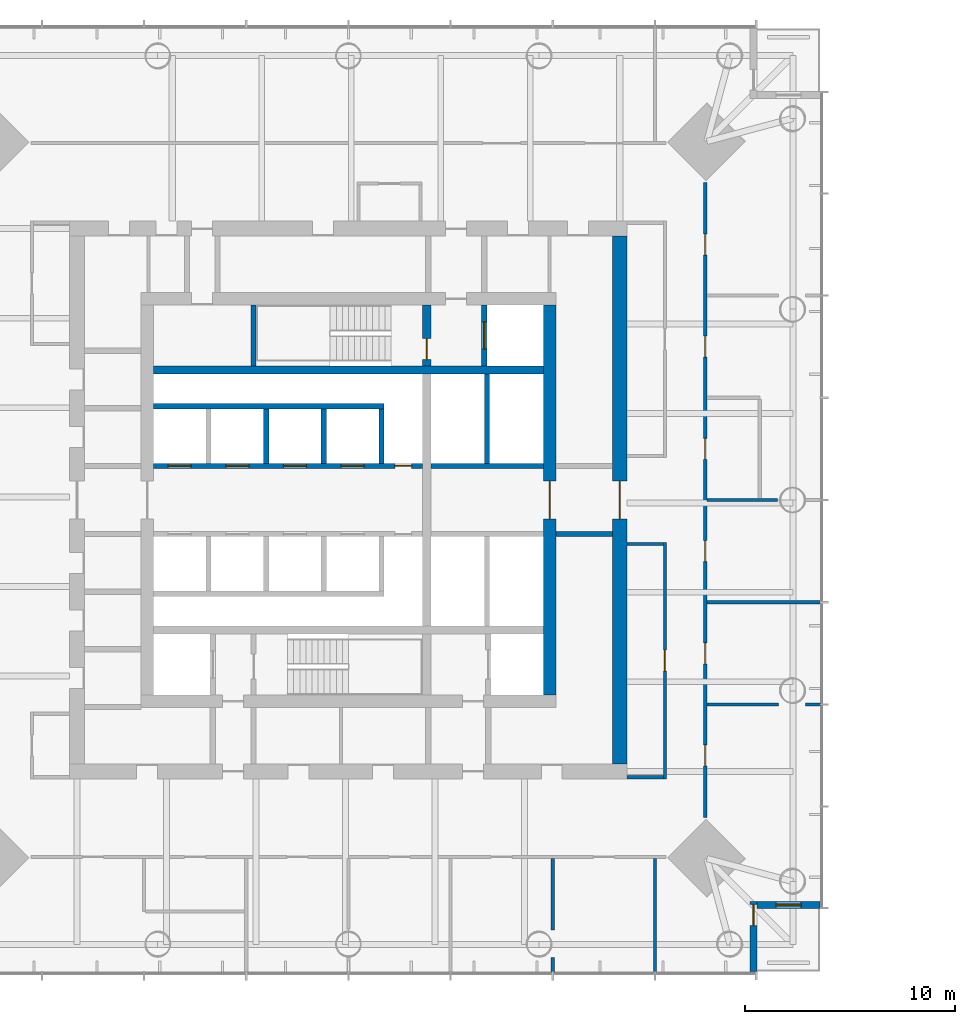
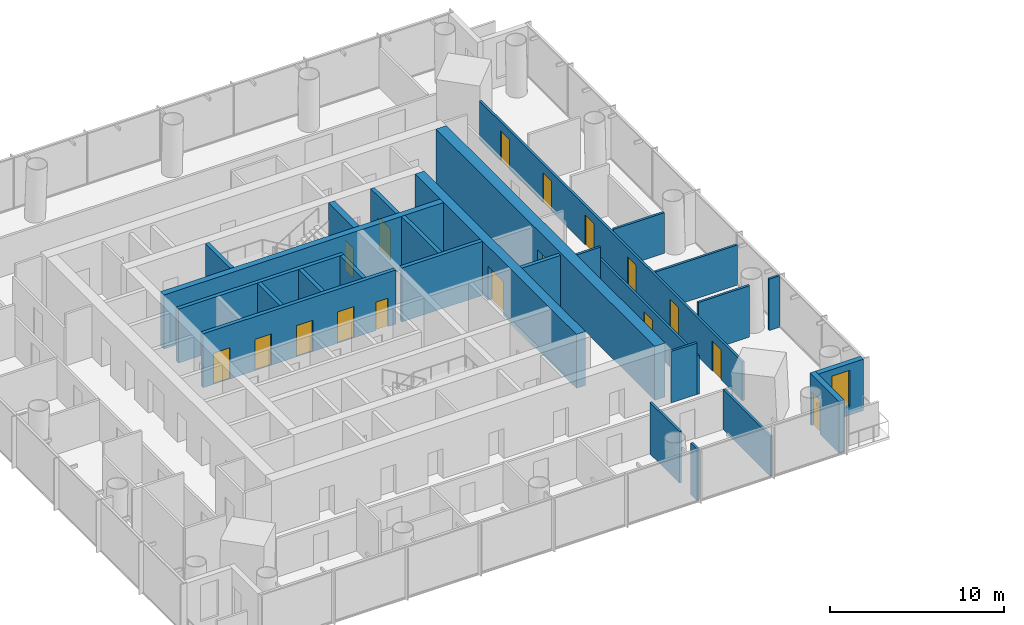
# One storey, part 11 of 20: 27 walls, 17 doors, 1 window, 18 openings.
"""IFC4 building model written with IfcOpenShell, lengths in metres."""

from ifc_helpers import new_model, si_unit, direction, frame, frame_2d, origin, place, context, subcontext, project, spatial, rectangle, extrude, material, layer, layer_set, type_object, element, fill, save


model = new_model("IFC4")

# Units and contexts
model_context = context("Model", 3, precision=1e-05, world=origin(), true_north=direction((0.0, 1.0)))
body_context = subcontext(model_context, "Body", "Model", "MODEL_VIEW")
ifc_project = project(units=[si_unit("LENGTHUNIT", "METRE"), si_unit("AREAUNIT", "SQUARE_METRE"), si_unit("VOLUMEUNIT", "CUBIC_METRE"), si_unit("PLANEANGLEUNIT", "RADIAN"), si_unit("MASSUNIT", "GRAM", prefix="KILO")], contexts=[model_context])

# Site, building, storey
site_placement = place(None, origin())
site = spatial("IfcSite", under=ifc_project, at=site_placement, CompositionType="ELEMENT")
building_placement = place(site_placement, origin())
building = spatial("IfcBuilding", under=site, at=building_placement, Name="Ostroluk Exchange", CompositionType="ELEMENT")
storey_placement = place(building_placement, frame((0.0, 0.0, 108.39990234375)))
storey = spatial("IfcBuildingStorey", under=building, at=storey_placement, Name="L27", CompositionType="ELEMENT", Elevation=108.39990234375)

# Walls
ifc_material_1 = material(Name="Concrete blockwork", Category="masonry")
ifc_layer_1 = layer(ifc_material_1, 0.25)
ifc_layer_set_1 = layer_set([ifc_layer_1], Name="Blockwork stair enclosure wall 250")
wall_type_1 = type_object("IfcWallType", Name="Blockwork stair enclosure wall 250", PredefinedType="SOLIDWALL", material=ifc_layer_set_1)
wall_1_placement = place(storey_placement, frame((54.89990234375, 44.375, 0.0), z_axis=(0.0, 0.0, 1.0), x_axis=(1.0, 0.0, 0.0)))
element("IfcWall", 1, at=wall_1_placement, inside=storey, type_object=wall_type_1, Name="Lift lobby enclosure wall", PredefinedType="SOLIDWALL", context=body_context, shape_type="SweptSolid", body=[
    extrude(rectangle(XDim=2.7001953125, YDim=0.25, at=frame_2d((1.35009765625, 0.0))), origin(), (0.0, 0.0, 1.0), 3.6201171875),
])
ifc_material_2 = material(Name="Concrete C50/60", Category="concrete")
ifc_layer_2 = layer(ifc_material_2, 0.39990234375)
ifc_layer_set_2 = layer_set([ifc_layer_2], Name="Core cross wall 400 C50/60")
wall_type_2 = type_object("IfcWallType", Name="Core cross wall 400 C50/60", PredefinedType="SHEAR", material=ifc_layer_set_2)
wall_2_placement = place(storey_placement, frame((35.699951171875, 52.199951171875, 0.0), z_axis=(0.0, 0.0, 1.0), x_axis=(1.0, 0.0, 0.0)))
element("IfcWall", 2, at=wall_2_placement, inside=storey, type_object=wall_type_2, Name="T1 core wall XN", PredefinedType="SHEAR", context=body_context, shape_type="SweptSolid", body=[
    extrude(rectangle(XDim=18.60009765625, YDim=0.39990234375, at=frame_2d((9.300048828125, 0.0))), origin(), (0.0, 0.0, 1.0), 3.800048828125),
])

# Wall, opening, door
wall_3_placement = place(storey_placement, frame((48.72998046875, 52.39990234375, 0.0), z_axis=(0.0, 0.0, 1.0), x_axis=(0.0, 1.0, 0.0)))
wall_3 = element("IfcWall", 3, at=wall_3_placement, inside=storey, type_object=wall_type_2, Name="T1 core wall YE3", PredefinedType="SHEAR", context=body_context, shape_type="SweptSolid", body=[
    extrude(rectangle(XDim=2.900146484375, YDim=0.39990234375, at=frame_2d((1.4501953125, 0.0))), origin(), (0.0, 0.0, 1.0), 3.800048828125),
])
opening_1_placement = place(wall_3_placement, frame((0.300048828125, 0.0, 0.0)))
opening_1 = element("IfcOpeningElement", 4, at=opening_1_placement, cuts=wall_3, Name="Opening FD60", PredefinedType="OPENING", context=body_context, shape_type="SweptSolid", body=[
    extrude(rectangle(XDim=1.0, YDim=2.10009765625, at=frame_2d((0.5, 1.050048828125))), frame((0.0, 0.2099609375, 0.0), z_axis=(0.0, -1.0, 0.0), x_axis=(1.0, 0.0, 0.0)), (0.0, 0.0, 1.0), 0.419921875),
])
ifc_material_3 = material(Name="Steel", Category="steel")
door_type_1 = type_object("IfcDoorType", Name="Fire door EI 60 1000 x 2100", OperationType="SINGLE_SWING_LEFT", PredefinedType="DOOR", material=ifc_material_3)
door_1_placement = place(opening_1_placement, origin())
door_1 = element("IfcDoor", 5, at=door_1_placement, inside=storey, type_object=door_type_1, Name="Stair T1-S2 door", OperationType="SINGLE_SWING_LEFT", OverallHeight=2.10009765625, OverallWidth=1.0, PredefinedType="DOOR", context=body_context, shape_type="SweptSolid", body=[
    extrude(rectangle(XDim=1.0, YDim=2.10009765625, at=frame_2d((0.5, 1.050048828125))), frame((0.0, 0.02490234375, 0.0), z_axis=(0.0, -1.0, 0.0), x_axis=(1.0, 0.0, 0.0)), (0.0, 0.0, 1.0), 0.050048828125),
])
fill(opening_1, door_1)

# Wall
ifc_material_4 = material(Name="Concrete C40/50", Category="concrete")
ifc_layer_3 = layer(ifc_material_4, 0.25)
ifc_layer_set_3 = layer_set([ifc_layer_3], Name="Core shaft wall 250")
wall_type_3 = type_object("IfcWallType", Name="Core shaft wall 250", PredefinedType="SHEAR", material=ifc_layer_set_3)
wall_4_placement = place(storey_placement, frame((40.47509765625, 52.39990234375, 0.0), z_axis=(0.0, 0.0, 1.0), x_axis=(0.0, 1.0, 0.0)))
element("IfcWall", 6, at=wall_4_placement, inside=storey, type_object=wall_type_3, Name="Stair shaft wall", PredefinedType="SHEAR", context=body_context, shape_type="SweptSolid", body=[
    extrude(rectangle(XDim=2.900146484375, YDim=0.25, at=frame_2d((1.4501953125, 0.0))), origin(), (0.0, 0.0, 1.0), 3.800048828125),
])

# Wall, opening, door
wall_5_placement = place(storey_placement, frame((51.47509765625, 52.39990234375, 0.0), z_axis=(0.0, 0.0, 1.0), x_axis=(0.0, 1.0, 0.0)))
wall_5 = element("IfcWall", 7, at=wall_5_placement, inside=storey, type_object=wall_type_3, Name="Firefighting lift shaft wall", PredefinedType="SHEAR", context=body_context, shape_type="SweptSolid", body=[
    extrude(rectangle(XDim=2.900146484375, YDim=0.25, at=frame_2d((1.4501953125, 0.0))), origin(), (0.0, 0.0, 1.0), 3.800048828125),
])
opening_2_placement = place(wall_5_placement, frame((0.800048828125, 0.0, 0.0)))
opening_2 = element("IfcOpeningElement", 8, at=opening_2_placement, cuts=wall_5, Name="Opening LD2", PredefinedType="OPENING", context=body_context, shape_type="SweptSolid", body=[
    extrude(rectangle(XDim=1.300048828125, YDim=2.199951171875, at=frame_2d((0.64990234375, 1.10009765625))), frame((0.0, 0.135009765625, 0.0), z_axis=(0.0, -1.0, 0.0), x_axis=(1.0, 0.0, 0.0)), (0.0, 0.0, 1.0), 0.27001953125),
])
ifc_material_5 = material(Name="Stainless steel", Category="steel")
door_type_2 = type_object("IfcDoorType", Name="Lift landing door E 60 1300 x 2200", OperationType="DOUBLE_DOOR_SLIDING", PredefinedType="DOOR", material=ifc_material_5)
door_2_placement = place(opening_2_placement, origin())
door_2 = element("IfcDoor", 9, at=door_2_placement, inside=storey, type_object=door_type_2, Name="Lift FL2 landing door", OperationType="DOUBLE_DOOR_SLIDING", OverallHeight=2.199951171875, OverallWidth=1.300048828125, PredefinedType="DOOR", context=body_context, shape_type="SweptSolid", body=[
    extrude(rectangle(XDim=1.300048828125, YDim=2.199951171875, at=frame_2d((0.64990234375, 1.10009765625))), frame((0.0, 0.02490234375, 0.0), z_axis=(0.0, -1.0, 0.0), x_axis=(1.0, 0.0, 0.0)), (0.0, 0.0, 1.0), 0.050048828125),
])
fill(opening_2, door_2)

# Walls
for number, where, z_axis, x_axis, name in (
    (10, (41.074951171875, 47.75, 0.0), (0.0, 0.0, 1.0), (0.0, 1.0, 0.0), "Lift shaft wall"),
    (11, (43.824951171875, 47.75, 0.0), (0.0, 0.0, 1.0), (0.0, 1.0, 0.0), "Lift shaft wall"),
    (12, (46.574951171875, 47.75, 0.0), (0.0, 0.0, 1.0), (0.0, 1.0, 0.0), "Lift shaft wall"),
):
    element("IfcWall", number, at=place(storey_placement, frame(where, z_axis=z_axis, x_axis=x_axis)), inside=storey, type_object=wall_type_3, Name=name, PredefinedType="SHEAR", context=body_context, shape_type="SweptSolid", body=[
        extrude(rectangle(XDim=2.60009765625, YDim=0.25, at=frame_2d((1.300048828125, 0.0))), origin(), (0.0, 0.0, 1.0), 3.800048828125),
    ])
wall_6_placement = place(storey_placement, frame((35.699951171875, 50.47509765625, 0.0), z_axis=(0.0, 0.0, 1.0), x_axis=(1.0, 0.0, 0.0)))
element("IfcWall", 13, at=wall_6_placement, inside=storey, type_object=wall_type_3, Name="Lift shaft wall", PredefinedType="SHEAR", context=body_context, shape_type="SweptSolid", body=[
    extrude(rectangle(XDim=11.0, YDim=0.25, at=frame_2d((5.5, 0.0))), origin(), (0.0, 0.0, 1.0), 3.800048828125),
])

# Wall, openings, doors
wall_7_placement = place(storey_placement, frame((35.699951171875, 47.625, 0.0), z_axis=(0.0, 0.0, 1.0), x_axis=(1.0, 0.0, 0.0)))
wall_7 = element("IfcWall", 14, at=wall_7_placement, inside=storey, type_object=wall_type_3, Name="Lift shaft front wall", PredefinedType="SHEAR", context=body_context, shape_type="SweptSolid", body=[
    extrude(rectangle(XDim=12.830078125, YDim=0.25, at=frame_2d((6.4150390625, 0.0))), origin(), (0.0, 0.0, 1.0), 3.800048828125),
])
opening_3_placement = place(wall_7_placement, frame((0.699951171875, 0.0, 0.0)))
opening_3 = element("IfcOpeningElement", 15, at=opening_3_placement, cuts=wall_7, Name="Opening LD", PredefinedType="OPENING", context=body_context, shape_type="SweptSolid", body=[
    extrude(rectangle(XDim=1.10009765625, YDim=2.199951171875, at=frame_2d((0.550048828125, 1.10009765625))), frame((0.0, 0.135009765625, 0.0), z_axis=(0.0, -1.0, 0.0), x_axis=(1.0, 0.0, 0.0)), (0.0, 0.0, 1.0), 0.27001953125),
])
opening_4_placement = place(wall_7_placement, frame((3.449951171875, 0.0, 0.0)))
opening_4 = element("IfcOpeningElement", 16, at=opening_4_placement, cuts=wall_7, Name="Opening LD", PredefinedType="OPENING", context=body_context, shape_type="SweptSolid", body=[
    extrude(rectangle(XDim=1.10009765625, YDim=2.199951171875, at=frame_2d((0.550048828125, 1.10009765625))), frame((0.0, 0.135009765625, 0.0), z_axis=(0.0, -1.0, 0.0), x_axis=(1.0, 0.0, 0.0)), (0.0, 0.0, 1.0), 0.27001953125),
])
opening_5_placement = place(wall_7_placement, frame((6.199951171875, 0.0, 0.0)))
opening_5 = element("IfcOpeningElement", 17, at=opening_5_placement, cuts=wall_7, Name="Opening LD", PredefinedType="OPENING", context=body_context, shape_type="SweptSolid", body=[
    extrude(rectangle(XDim=1.10009765625, YDim=2.199951171875, at=frame_2d((0.550048828125, 1.10009765625))), frame((0.0, 0.135009765625, 0.0), z_axis=(0.0, -1.0, 0.0), x_axis=(1.0, 0.0, 0.0)), (0.0, 0.0, 1.0), 0.27001953125),
])
opening_6_placement = place(wall_7_placement, frame((8.949951171875, 0.0, 0.0)))
opening_6 = element("IfcOpeningElement", 18, at=opening_6_placement, cuts=wall_7, Name="Opening LD", PredefinedType="OPENING", context=body_context, shape_type="SweptSolid", body=[
    extrude(rectangle(XDim=1.10009765625, YDim=2.199951171875, at=frame_2d((0.550048828125, 1.10009765625))), frame((0.0, 0.135009765625, 0.0), z_axis=(0.0, -1.0, 0.0), x_axis=(1.0, 0.0, 0.0)), (0.0, 0.0, 1.0), 0.27001953125),
])
opening_7_placement = place(wall_7_placement, frame((11.514892578125, 0.0, 0.0)))
opening_7 = element("IfcOpeningElement", 19, at=opening_7_placement, cuts=wall_7, Name="Opening RD60", PredefinedType="OPENING", context=body_context, shape_type="SweptSolid", body=[
    extrude(rectangle(XDim=0.800048828125, YDim=2.0, at=frame_2d((0.39990234375, 1.0))), frame((0.0, 0.135009765625, 0.0), z_axis=(0.0, -1.0, 0.0), x_axis=(1.0, 0.0, 0.0)), (0.0, 0.0, 1.0), 0.27001953125),
])
ifc_material_6 = material(Name="Stainless steel", Category="steel")
door_type_3 = type_object("IfcDoorType", Name="Lift landing door E 60 1100 x 2200", OperationType="DOUBLE_DOOR_SLIDING", PredefinedType="DOOR", material=ifc_material_6)
door_3_placement = place(opening_3_placement, origin())
door_3 = element("IfcDoor", 20, at=door_3_placement, inside=storey, type_object=door_type_3, Name="Lift PL-M1 landing door", OperationType="DOUBLE_DOOR_SLIDING", OverallHeight=2.199951171875, OverallWidth=1.10009765625, PredefinedType="DOOR", context=body_context, shape_type="SweptSolid", body=[
    extrude(rectangle(XDim=1.10009765625, YDim=2.199951171875, at=frame_2d((0.550048828125, 1.10009765625))), frame((0.0, 0.02490234375, 0.0), z_axis=(0.0, -1.0, 0.0), x_axis=(1.0, 0.0, 0.0)), (0.0, 0.0, 1.0), 0.050048828125),
])
fill(opening_3, door_3)
door_4_placement = place(opening_4_placement, origin())
door_4 = element("IfcDoor", 21, at=door_4_placement, inside=storey, type_object=door_type_3, Name="Lift PL-M2 landing door", OperationType="DOUBLE_DOOR_SLIDING", OverallHeight=2.199951171875, OverallWidth=1.10009765625, PredefinedType="DOOR", context=body_context, shape_type="SweptSolid", body=[
    extrude(rectangle(XDim=1.10009765625, YDim=2.199951171875, at=frame_2d((0.550048828125, 1.10009765625))), frame((0.0, 0.02490234375, 0.0), z_axis=(0.0, -1.0, 0.0), x_axis=(1.0, 0.0, 0.0)), (0.0, 0.0, 1.0), 0.050048828125),
])
fill(opening_4, door_4)
door_5_placement = place(opening_5_placement, origin())
door_5 = element("IfcDoor", 22, at=door_5_placement, inside=storey, type_object=door_type_3, Name="Lift PL-M3 landing door", OperationType="DOUBLE_DOOR_SLIDING", OverallHeight=2.199951171875, OverallWidth=1.10009765625, PredefinedType="DOOR", context=body_context, shape_type="SweptSolid", body=[
    extrude(rectangle(XDim=1.10009765625, YDim=2.199951171875, at=frame_2d((0.550048828125, 1.10009765625))), frame((0.0, 0.02490234375, 0.0), z_axis=(0.0, -1.0, 0.0), x_axis=(1.0, 0.0, 0.0)), (0.0, 0.0, 1.0), 0.050048828125),
])
fill(opening_5, door_5)
door_6_placement = place(opening_6_placement, origin())
door_6 = element("IfcDoor", 23, at=door_6_placement, inside=storey, type_object=door_type_3, Name="Lift PL-M4 landing door", OperationType="DOUBLE_DOOR_SLIDING", OverallHeight=2.199951171875, OverallWidth=1.10009765625, PredefinedType="DOOR", context=body_context, shape_type="SweptSolid", body=[
    extrude(rectangle(XDim=1.10009765625, YDim=2.199951171875, at=frame_2d((0.550048828125, 1.10009765625))), frame((0.0, 0.02490234375, 0.0), z_axis=(0.0, -1.0, 0.0), x_axis=(1.0, 0.0, 0.0)), (0.0, 0.0, 1.0), 0.050048828125),
])
fill(opening_6, door_6)
ifc_material_7 = material(Name="Steel", Category="steel")
door_type_4 = type_object("IfcDoorType", Name="Riser access door EI 60 800 x 2000", OperationType="SINGLE_SWING_LEFT", PredefinedType="DOOR", material=ifc_material_7)
door_7_placement = place(opening_7_placement, origin())
door_7 = element("IfcDoor", 24, at=door_7_placement, inside=storey, type_object=door_type_4, Name="Riser access door", OperationType="SINGLE_SWING_RIGHT", OverallHeight=2.0, OverallWidth=0.800048828125, PredefinedType="DOOR", context=body_context, shape_type="SweptSolid", body=[
    extrude(rectangle(XDim=0.800048828125, YDim=2.0, at=frame_2d((0.39990234375, 1.0))), frame((0.0, 0.02490234375, 0.0), z_axis=(0.0, -1.0, 0.0), x_axis=(1.0, 0.0, 0.0)), (0.0, 0.0, 1.0), 0.050048828125),
])
fill(opening_7, door_7)

# Walls
wall_8_placement = place(storey_placement, frame((51.614990234375, 47.75, 0.0), z_axis=(0.0, 0.0, 1.0), x_axis=(0.0, 1.0, 0.0)))
element("IfcWall", 25, at=wall_8_placement, inside=storey, type_object=wall_type_3, Name="Lift shaft wall", PredefinedType="SHEAR", context=body_context, shape_type="SweptSolid", body=[
    extrude(rectangle(XDim=4.25, YDim=0.25, at=frame_2d((2.125, 0.0))), origin(), (0.0, 0.0, 1.0), 3.800048828125),
])
wall_9_placement = place(storey_placement, frame((48.929931640625, 47.625, 0.0), z_axis=(0.0, 0.0, 1.0), x_axis=(1.0, 0.0, 0.0)))
element("IfcWall", 26, at=wall_9_placement, inside=storey, type_object=wall_type_3, Name="Lift shaft front wall", PredefinedType="SHEAR", context=body_context, shape_type="SweptSolid", body=[
    extrude(rectangle(XDim=5.3701171875, YDim=0.25, at=frame_2d((2.68505859375, 0.0))), origin(), (0.0, 0.0, 1.0), 3.800048828125),
])

# Wall, opening, door
ifc_material_8 = material(Name="Concrete C50/60", Category="concrete")
ifc_layer_4 = layer(ifc_material_8, 0.60009765625)
ifc_layer_set_4 = layer_set([ifc_layer_4], Name="Core wall 600 C50/60")
wall_type_4 = type_object("IfcWallType", Name="Core wall 600 C50/60", PredefinedType="SHEAR", material=ifc_layer_set_4)
wall_10_placement = place(storey_placement, frame((54.60009765625, 36.699951171875, 0.0), z_axis=(0.0, 0.0, 1.0), x_axis=(0.0, 1.0, 0.0)))
wall_10 = element("IfcWall", 27, at=wall_10_placement, inside=storey, type_object=wall_type_4, Name="T1 core wall E", PredefinedType="SHEAR", context=body_context, shape_type="SweptSolid", body=[
    extrude(rectangle(XDim=18.60009765625, YDim=0.60009765625, at=frame_2d((9.300048828125, 0.0))), origin(), (0.0, 0.0, 1.0), 3.800048828125),
])
opening_8_placement = place(wall_10_placement, frame((8.39990234375, 0.0, 0.0)))
opening_8 = element("IfcOpeningElement", 28, at=opening_8_placement, cuts=wall_10, Name="Opening FD30D", PredefinedType="OPENING", context=body_context, shape_type="SweptSolid", body=[
    extrude(rectangle(XDim=1.800048828125, YDim=2.39990234375, at=frame_2d((0.89990234375, 1.199951171875))), frame((0.0, 0.31005859375, 0.0), z_axis=(0.0, -1.0, 0.0), x_axis=(1.0, 0.0, 0.0)), (0.0, 0.0, 1.0), 0.6201171875),
])
ifc_material_9 = material(Name="Timber", Category="wood")
door_type_5 = type_object("IfcDoorType", Name="Lobby double door EI 30 1800 x 2400", OperationType="DOUBLE_DOOR_SINGLE_SWING", PredefinedType="DOOR", material=ifc_material_9)
door_8_placement = place(opening_8_placement, origin())
door_8 = element("IfcDoor", 29, at=door_8_placement, inside=storey, type_object=door_type_5, Name="Lift lobby doors", OperationType="DOUBLE_DOOR_SINGLE_SWING", OverallHeight=2.39990234375, OverallWidth=1.800048828125, PredefinedType="DOOR", context=body_context, shape_type="SweptSolid", body=[
    extrude(rectangle(XDim=1.800048828125, YDim=2.39990234375, at=frame_2d((0.89990234375, 1.199951171875))), frame((0.0, 0.02490234375, 0.0), z_axis=(0.0, -1.0, 0.0), x_axis=(1.0, 0.0, 0.0)), (0.0, 0.0, 1.0), 0.050048828125),
])
fill(opening_8, door_8)

ifc_material_10 = material(Name="Concrete C50/60", Category="concrete")
ifc_layer_5 = layer(ifc_material_10, 0.699951171875)
ifc_layer_set_5 = layer_set([ifc_layer_5], Name="Core wall 700 C50/60")
wall_type_5 = type_object("IfcWallType", Name="Core wall 700 C50/60", PredefinedType="SHEAR", material=ifc_layer_set_5)
wall_11_placement = place(storey_placement, frame((57.949951171875, 33.39990234375, 0.0), z_axis=(0.0, 0.0, 1.0), x_axis=(0.0, 1.0, 0.0)))
wall_11 = element("IfcWall", 30, at=wall_11_placement, inside=storey, type_object=wall_type_5, Name="T1 core wall RE", PredefinedType="SHEAR", context=body_context, shape_type="SweptSolid", body=[
    extrude(rectangle(XDim=25.2001953125, YDim=0.699951171875, at=frame_2d((12.60009765625, 0.0))), origin(), (0.0, 0.0, 1.0), 3.800048828125),
])
opening_9_placement = place(wall_11_placement, frame((11.699951171875, 0.0, 0.0)))
opening_9 = element("IfcOpeningElement", 31, at=opening_9_placement, cuts=wall_11, Name="Opening FD30D", PredefinedType="OPENING", context=body_context, shape_type="SweptSolid", body=[
    extrude(rectangle(XDim=1.800048828125, YDim=2.39990234375, at=frame_2d((0.89990234375, 1.199951171875))), frame((0.0, 0.35986328125, 0.0), z_axis=(0.0, -1.0, 0.0), x_axis=(1.0, 0.0, 0.0)), (0.0, 0.0, 1.0), 0.719970703125),
])
door_9_placement = place(opening_9_placement, origin())
door_9 = element("IfcDoor", 32, at=door_9_placement, inside=storey, type_object=door_type_5, Name="Lift lobby doors", OperationType="DOUBLE_DOOR_SINGLE_SWING", OverallHeight=2.39990234375, OverallWidth=1.800048828125, PredefinedType="DOOR", context=body_context, shape_type="SweptSolid", body=[
    extrude(rectangle(XDim=1.800048828125, YDim=2.39990234375, at=frame_2d((0.89990234375, 1.199951171875))), frame((0.0, 0.02490234375, 0.0), z_axis=(0.0, -1.0, 0.0), x_axis=(1.0, 0.0, 0.0)), (0.0, 0.0, 1.0), 0.050048828125),
])
fill(opening_9, door_9)

ifc_material_11 = material(Name="Limestone", Category="masonry")
ifc_layer_6 = layer(ifc_material_11, 0.35009765625)
ifc_layer_set_6 = layer_set([ifc_layer_6], Name="Limestone facade wall 350")
wall_type_6 = type_object("IfcWallType", Name="Limestone facade wall 350", PredefinedType="SOLIDWALL", material=ifc_layer_set_6)
wall_12_placement = place(storey_placement, frame((64.324951171875, 23.5, 0.0), z_axis=(0.0, 0.0, 1.0), x_axis=(0.0, 1.0, 0.0)))
wall_12 = element("IfcWall", 33, at=wall_12_placement, inside=storey, type_object=wall_type_6, Name="Office tower SE corner wall L27 a", PredefinedType="SOLIDWALL", context=body_context, shape_type="SweptSolid", body=[
    extrude(rectangle(XDim=3.35009765625, YDim=0.35009765625, at=frame_2d((1.675048828125, 0.0))), origin(), (0.0, 0.0, 1.0), 3.6201171875),
])
opening_10_placement = place(wall_12_placement, frame((2.199951171875, 0.0, 0.0)))
opening_10 = element("IfcOpeningElement", 34, at=opening_10_placement, cuts=wall_12, Name="Opening D-B1", PredefinedType="OPENING", context=body_context, shape_type="SweptSolid", body=[
    extrude(rectangle(XDim=1.0, YDim=2.39990234375, at=frame_2d((0.5, 1.199951171875))), frame((0.0, 0.18505859375, 0.0), z_axis=(0.0, -1.0, 0.0), x_axis=(1.0, 0.0, 0.0)), (0.0, 0.0, 1.0), 0.3701171875),
])
ifc_material_12 = material(Name="Bronze framed glazed door", Category="aluminium")
door_type_6 = type_object("IfcDoorType", Name="Balcony door 1000 x 2400", OperationType="SINGLE_SWING_LEFT", PredefinedType="DOOR", material=ifc_material_12)
door_10_placement = place(opening_10_placement, origin())
door_10 = element("IfcDoor", 35, at=door_10_placement, inside=storey, type_object=door_type_6, Name="Office tower SE balcony door L27", OperationType="SINGLE_SWING_RIGHT", OverallHeight=2.39990234375, OverallWidth=1.0, PredefinedType="DOOR", context=body_context, shape_type="SweptSolid", body=[
    extrude(rectangle(XDim=1.0, YDim=2.39990234375, at=frame_2d((0.5, 1.199951171875))), frame((0.0, 0.02490234375, 0.0), z_axis=(0.0, -1.0, 0.0), x_axis=(1.0, 0.0, 0.0)), (0.0, 0.0, 1.0), 0.050048828125),
])
fill(opening_10, door_10)

# Wall, opening, window
wall_13_placement = place(storey_placement, frame((64.5, 26.675048828125, 0.0), z_axis=(0.0, 0.0, 1.0), x_axis=(1.0, 0.0, 0.0)))
wall_13 = element("IfcWall", 36, at=wall_13_placement, inside=storey, type_object=wall_type_6, Name="Office tower SE corner wall L27 b", PredefinedType="SOLIDWALL", context=body_context, shape_type="SweptSolid", body=[
    extrude(rectangle(XDim=3.0, YDim=0.35009765625, at=frame_2d((1.5, 0.0))), origin(), (0.0, 0.0, 1.0), 3.6201171875),
])
opening_11_placement = place(wall_13_placement, frame((0.89990234375, 0.0, 0.60009765625)))
opening_11 = element("IfcOpeningElement", 37, at=opening_11_placement, cuts=wall_13, Name="Opening WN-L1", PredefinedType="OPENING", context=body_context, shape_type="SweptSolid", body=[
    extrude(rectangle(XDim=1.199951171875, YDim=2.550048828125, at=frame_2d((0.60009765625, 1.27490234375))), frame((0.0, 0.18505859375, 0.0), z_axis=(0.0, -1.0, 0.0), x_axis=(1.0, 0.0, 0.0)), (0.0, 0.0, 1.0), 0.3701171875),
])
ifc_material_13 = material(Name="Laminated clear glass", Category="glass")
window_type = type_object("IfcWindowType", Name="Lancet window 1200 x 2550", PartitioningType="SINGLE_PANEL", PredefinedType="WINDOW", material=ifc_material_13)
window_placement = place(opening_11_placement, origin())
window = element("IfcWindow", 38, at=window_placement, inside=storey, type_object=window_type, Name="Office tower SE lancet window L27", OverallHeight=2.550048828125, OverallWidth=1.199951171875, PartitioningType="SINGLE_PANEL", PredefinedType="WINDOW", context=body_context, shape_type="SweptSolid", body=[
    extrude(rectangle(XDim=1.199951171875, YDim=2.550048828125, at=frame_2d((0.60009765625, 1.27490234375))), frame((0.0, 0.030029296875, 0.0), z_axis=(0.0, -1.0, 0.0), x_axis=(1.0, 0.0, 0.0)), (0.0, 0.0, 1.0), 0.06005859375),
])
fill(opening_11, window)

# Wall, opening, door
ifc_material_14 = material(Name="Gypsum plasterboard partition", Category="gypsum")
ifc_layer_7 = layer(ifc_material_14, 0.14990234375)
ifc_layer_set_7 = layer_set([ifc_layer_7], Name="Plasterboard partition 150")
wall_type_7 = type_object("IfcWallType", Name="Plasterboard partition 150", PredefinedType="PARTITIONING", material=ifc_layer_set_7)
wall_14_placement = place(storey_placement, frame((60.10009765625, 32.699951171875, 0.0), z_axis=(0.0, 0.0, 1.0), x_axis=(0.0, 1.0, 0.0)))
wall_14 = element("IfcWall", 39, at=wall_14_placement, inside=storey, type_object=wall_type_7, Name="Partition", PredefinedType="PARTITIONING", context=body_context, shape_type="SweptSolid", body=[
    extrude(rectangle(XDim=11.275146484375, YDim=0.14990234375, at=frame_2d((5.6376953125, 0.0))), origin(), (0.0, 0.0, 1.0), 2.72021484375),
])
opening_12_placement = place(wall_14_placement, frame((5.137451171875, 0.0, 0.0)))
opening_12 = element("IfcOpeningElement", 40, at=opening_12_placement, cuts=wall_14, Name="Opening D-03", PredefinedType="OPENING", context=body_context, shape_type="SweptSolid", body=[
    extrude(rectangle(XDim=1.0, YDim=2.10009765625, at=frame_2d((0.5, 1.050048828125))), frame((0.0, 0.0849609375, 0.0), z_axis=(0.0, -1.0, 0.0), x_axis=(1.0, 0.0, 0.0)), (0.0, 0.0, 1.0), 0.169921875),
])
ifc_material_15 = material(Name="Timber", Category="wood")
door_type_7 = type_object("IfcDoorType", Name="Internal door 1000 x 2100", OperationType="SINGLE_SWING_LEFT", PredefinedType="DOOR", material=ifc_material_15)
door_11_placement = place(opening_12_placement, origin())
door_11 = element("IfcDoor", 41, at=door_11_placement, inside=storey, type_object=door_type_7, Name="Staff room door", OperationType="SINGLE_SWING_RIGHT", OverallHeight=2.10009765625, OverallWidth=1.0, PredefinedType="DOOR", context=body_context, shape_type="SweptSolid", body=[
    extrude(rectangle(XDim=1.0, YDim=2.10009765625, at=frame_2d((0.5, 1.050048828125))), frame((0.0, 0.02490234375, 0.0), z_axis=(0.0, -1.0, 0.0), x_axis=(1.0, 0.0, 0.0)), (0.0, 0.0, 1.0), 0.050048828125),
])
fill(opening_12, door_11)

# Walls
for number, where, z_axis, x_axis, name in (
    (42, (58.300048828125, 32.77490234375, 0.0), (0.0, 0.0, 1.0), (1.0, 0.0, 0.0), "Partition"),
    (43, (58.300048828125, 43.89990234375, 0.0), (0.0, 0.0, 1.0), (1.0, 0.0, 0.0), "Partition"),
):
    element("IfcWall", number, at=place(storey_placement, frame(where, z_axis=z_axis, x_axis=x_axis)), inside=storey, type_object=wall_type_7, Name=name, PredefinedType="PARTITIONING", context=body_context, shape_type="SweptSolid", body=[
        extrude(rectangle(XDim=1.724853515625, YDim=0.14990234375, at=frame_2d((0.8623046875, 0.0))), origin(), (0.0, 0.0, 1.0), 3.6201171875),
    ])

# Wall, openings, doors
wall_15_placement = place(storey_placement, frame((62.02490234375, 30.852783203125, 0.0), z_axis=(0.0, 0.0, 1.0), x_axis=(0.0, 1.0, 0.0)))
wall_15 = element("IfcWall", 44, at=wall_15_placement, inside=storey, type_object=wall_type_7, Name="Partition", PredefinedType="PARTITIONING", context=body_context, shape_type="SweptSolid", body=[
    extrude(rectangle(XDim=30.29443359375, YDim=0.14990234375, at=frame_2d((15.147216796875, 0.0))), origin(), (0.0, 0.0, 1.0), 2.72021484375),
])
opening_13_placement = place(wall_15_placement, frame((2.459716796875, 0.0, 0.0)))
opening_13 = element("IfcOpeningElement", 45, at=opening_13_placement, cuts=wall_15, Name="Opening D-03", PredefinedType="OPENING", context=body_context, shape_type="SweptSolid", body=[
    extrude(rectangle(XDim=1.0, YDim=2.10009765625, at=frame_2d((0.5, 1.050048828125))), frame((0.0, 0.0849609375, 0.0), z_axis=(0.0, -1.0, 0.0), x_axis=(1.0, 0.0, 0.0)), (0.0, 0.0, 1.0), 0.169921875),
])
opening_14_placement = place(wall_15_placement, frame((7.334716796875, 0.0, 0.0)))
opening_14 = element("IfcOpeningElement", 46, at=opening_14_placement, cuts=wall_15, Name="Opening D-03", PredefinedType="OPENING", context=body_context, shape_type="SweptSolid", body=[
    extrude(rectangle(XDim=1.0, YDim=2.10009765625, at=frame_2d((0.5, 1.050048828125))), frame((0.0, 0.0849609375, 0.0), z_axis=(0.0, -1.0, 0.0), x_axis=(1.0, 0.0, 0.0)), (0.0, 0.0, 1.0), 0.169921875),
])
opening_15_placement = place(wall_15_placement, frame((12.209716796875, 0.0, 0.0)))
opening_15 = element("IfcOpeningElement", 47, at=opening_15_placement, cuts=wall_15, Name="Opening D-03", PredefinedType="OPENING", context=body_context, shape_type="SweptSolid", body=[
    extrude(rectangle(XDim=1.0, YDim=2.10009765625, at=frame_2d((0.5, 1.050048828125))), frame((0.0, 0.0849609375, 0.0), z_axis=(0.0, -1.0, 0.0), x_axis=(1.0, 0.0, 0.0)), (0.0, 0.0, 1.0), 0.169921875),
])
opening_16_placement = place(wall_15_placement, frame((17.084716796875, 0.0, 0.0)))
opening_16 = element("IfcOpeningElement", 48, at=opening_16_placement, cuts=wall_15, Name="Opening D-03", PredefinedType="OPENING", context=body_context, shape_type="SweptSolid", body=[
    extrude(rectangle(XDim=1.0, YDim=2.10009765625, at=frame_2d((0.5, 1.050048828125))), frame((0.0, 0.0849609375, 0.0), z_axis=(0.0, -1.0, 0.0), x_axis=(1.0, 0.0, 0.0)), (0.0, 0.0, 1.0), 0.169921875),
])
opening_17_placement = place(wall_15_placement, frame((21.959716796875, 0.0, 0.0)))
opening_17 = element("IfcOpeningElement", 49, at=opening_17_placement, cuts=wall_15, Name="Opening D-03", PredefinedType="OPENING", context=body_context, shape_type="SweptSolid", body=[
    extrude(rectangle(XDim=1.0, YDim=2.10009765625, at=frame_2d((0.5, 1.050048828125))), frame((0.0, 0.0849609375, 0.0), z_axis=(0.0, -1.0, 0.0), x_axis=(1.0, 0.0, 0.0)), (0.0, 0.0, 1.0), 0.169921875),
])
opening_18_placement = place(wall_15_placement, frame((26.834716796875, 0.0, 0.0)))
opening_18 = element("IfcOpeningElement", 50, at=opening_18_placement, cuts=wall_15, Name="Opening D-03", PredefinedType="OPENING", context=body_context, shape_type="SweptSolid", body=[
    extrude(rectangle(XDim=1.0, YDim=2.10009765625, at=frame_2d((0.5, 1.050048828125))), frame((0.0, 0.0849609375, 0.0), z_axis=(0.0, -1.0, 0.0), x_axis=(1.0, 0.0, 0.0)), (0.0, 0.0, 1.0), 0.169921875),
])
door_12_placement = place(opening_13_placement, origin())
door_12 = element("IfcDoor", 51, at=door_12_placement, inside=storey, type_object=door_type_7, Name="Office suite door", OperationType="SINGLE_SWING_LEFT", OverallHeight=2.10009765625, OverallWidth=1.0, PredefinedType="DOOR", context=body_context, shape_type="SweptSolid", body=[
    extrude(rectangle(XDim=1.0, YDim=2.10009765625, at=frame_2d((0.5, 1.050048828125))), frame((0.0, 0.02490234375, 0.0), z_axis=(0.0, -1.0, 0.0), x_axis=(1.0, 0.0, 0.0)), (0.0, 0.0, 1.0), 0.050048828125),
])
fill(opening_13, door_12)
door_13_placement = place(opening_14_placement, origin())
door_13 = element("IfcDoor", 52, at=door_13_placement, inside=storey, type_object=door_type_7, Name="Meeting room door", OperationType="SINGLE_SWING_LEFT", OverallHeight=2.10009765625, OverallWidth=1.0, PredefinedType="DOOR", context=body_context, shape_type="SweptSolid", body=[
    extrude(rectangle(XDim=1.0, YDim=2.10009765625, at=frame_2d((0.5, 1.050048828125))), frame((0.0, 0.02490234375, 0.0), z_axis=(0.0, -1.0, 0.0), x_axis=(1.0, 0.0, 0.0)), (0.0, 0.0, 1.0), 0.050048828125),
])
fill(opening_14, door_13)
door_14_placement = place(opening_15_placement, origin())
door_14 = element("IfcDoor", 53, at=door_14_placement, inside=storey, type_object=door_type_7, Name="Focus room door", OperationType="SINGLE_SWING_LEFT", OverallHeight=2.10009765625, OverallWidth=1.0, PredefinedType="DOOR", context=body_context, shape_type="SweptSolid", body=[
    extrude(rectangle(XDim=1.0, YDim=2.10009765625, at=frame_2d((0.5, 1.050048828125))), frame((0.0, 0.02490234375, 0.0), z_axis=(0.0, -1.0, 0.0), x_axis=(1.0, 0.0, 0.0)), (0.0, 0.0, 1.0), 0.050048828125),
])
fill(opening_15, door_14)
door_15_placement = place(opening_16_placement, origin())
door_15 = element("IfcDoor", 54, at=door_15_placement, inside=storey, type_object=door_type_7, Name="Pantry door", OperationType="SINGLE_SWING_RIGHT", OverallHeight=2.10009765625, OverallWidth=1.0, PredefinedType="DOOR", context=body_context, shape_type="SweptSolid", body=[
    extrude(rectangle(XDim=1.0, YDim=2.10009765625, at=frame_2d((0.5, 1.050048828125))), frame((0.0, 0.02490234375, 0.0), z_axis=(0.0, -1.0, 0.0), x_axis=(1.0, 0.0, 0.0)), (0.0, 0.0, 1.0), 0.050048828125),
])
fill(opening_16, door_15)
door_16_placement = place(opening_17_placement, origin())
door_16 = element("IfcDoor", 55, at=door_16_placement, inside=storey, type_object=door_type_7, Name="Office door", OperationType="SINGLE_SWING_RIGHT", OverallHeight=2.10009765625, OverallWidth=1.0, PredefinedType="DOOR", context=body_context, shape_type="SweptSolid", body=[
    extrude(rectangle(XDim=1.0, YDim=2.10009765625, at=frame_2d((0.5, 1.050048828125))), frame((0.0, 0.02490234375, 0.0), z_axis=(0.0, -1.0, 0.0), x_axis=(1.0, 0.0, 0.0)), (0.0, 0.0, 1.0), 0.050048828125),
])
fill(opening_17, door_16)
door_17_placement = place(opening_18_placement, origin())
door_17 = element("IfcDoor", 56, at=door_17_placement, inside=storey, type_object=door_type_7, Name="Office door", OperationType="SINGLE_SWING_RIGHT", OverallHeight=2.10009765625, OverallWidth=1.0, PredefinedType="DOOR", context=body_context, shape_type="SweptSolid", body=[
    extrude(rectangle(XDim=1.0, YDim=2.10009765625, at=frame_2d((0.5, 1.050048828125))), frame((0.0, 0.02490234375, 0.0), z_axis=(0.0, -1.0, 0.0), x_axis=(1.0, 0.0, 0.0)), (0.0, 0.0, 1.0), 0.050048828125),
])
fill(opening_18, door_17)

# Walls
wall_16_placement = place(storey_placement, frame((62.10009765625, 36.25, 0.0), z_axis=(0.0, 0.0, 1.0), x_axis=(1.0, 0.0, 0.0)))
element("IfcWall", 57, at=wall_16_placement, inside=storey, type_object=wall_type_7, Name="Partition", PredefinedType="PARTITIONING", context=body_context, shape_type="SweptSolid", body=[
    extrude(rectangle(XDim=3.42138671875, YDim=0.14990234375, at=frame_2d((1.710693359375, 0.0))), origin(), (0.0, 0.0, 1.0), 3.6201171875),
])
wall_17_placement = place(storey_placement, frame((66.816650390625, 36.25, 0.0), z_axis=(0.0, 0.0, 1.0), x_axis=(1.0, 0.0, 0.0)))
element("IfcWall", 58, at=wall_17_placement, inside=storey, type_object=wall_type_7, Name="Partition", PredefinedType="PARTITIONING", context=body_context, shape_type="SweptSolid", body=[
    extrude(rectangle(XDim=0.723388671875, YDim=0.14990234375, at=frame_2d((0.36181640625, 0.0))), origin(), (0.0, 0.0, 1.0), 3.6201171875),
])
wall_18_placement = place(storey_placement, frame((62.10009765625, 41.125, 0.0), z_axis=(0.0, 0.0, 1.0), x_axis=(1.0, 0.0, 0.0)))
element("IfcWall", 59, at=wall_18_placement, inside=storey, type_object=wall_type_7, Name="Partition", PredefinedType="PARTITIONING", context=body_context, shape_type="SweptSolid", body=[
    extrude(rectangle(XDim=5.43994140625, YDim=0.14990234375, at=frame_2d((2.719970703125, 0.0))), origin(), (0.0, 0.0, 1.0), 2.820068359375),
])
wall_19_placement = place(storey_placement, frame((62.10009765625, 46.0, 0.0), z_axis=(0.0, 0.0, 1.0), x_axis=(1.0, 0.0, 0.0)))
element("IfcWall", 60, at=wall_19_placement, inside=storey, type_object=wall_type_7, Name="Partition", PredefinedType="PARTITIONING", context=body_context, shape_type="SweptSolid", body=[
    extrude(rectangle(XDim=3.376220703125, YDim=0.14990234375, at=frame_2d((1.68798828125, 0.0))), origin(), (0.0, 0.0, 1.0), 2.858154296875),
])
wall_20_placement = place(storey_placement, frame((54.75, 28.89990234375, 0.0), z_axis=(0.0, 0.0, 1.0), x_axis=(0.0, -1.0, 0.0)))
element("IfcWall", 61, at=wall_20_placement, inside=storey, type_object=wall_type_7, Name="Partition", PredefinedType="PARTITIONING", context=body_context, shape_type="SweptSolid", body=[
    extrude(rectangle(XDim=3.42138671875, YDim=0.14990234375, at=frame_2d((1.710693359375, 0.0))), origin(), (0.0, 0.0, 1.0), 3.6201171875),
])
wall_21_placement = place(storey_placement, frame((54.75, 24.183349609375, 0.0), z_axis=(0.0, 0.0, 1.0), x_axis=(0.0, -1.0, 0.0)))
element("IfcWall", 62, at=wall_21_placement, inside=storey, type_object=wall_type_7, Name="Partition", PredefinedType="PARTITIONING", context=body_context, shape_type="SweptSolid", body=[
    extrude(rectangle(XDim=0.723388671875, YDim=0.14990234375, at=frame_2d((0.36181640625, 0.0))), origin(), (0.0, 0.0, 1.0), 3.6201171875),
])
wall_22_placement = place(storey_placement, frame((59.625, 28.89990234375, 0.0), z_axis=(0.0, 0.0, 1.0), x_axis=(0.0, -1.0, 0.0)))
element("IfcWall", 63, at=wall_22_placement, inside=storey, type_object=wall_type_7, Name="Partition", PredefinedType="PARTITIONING", context=body_context, shape_type="SweptSolid", body=[
    extrude(rectangle(XDim=5.43994140625, YDim=0.14990234375, at=frame_2d((2.719970703125, 0.0))), origin(), (0.0, 0.0, 1.0), 2.820068359375),
])

save(model, "model.ifc")
